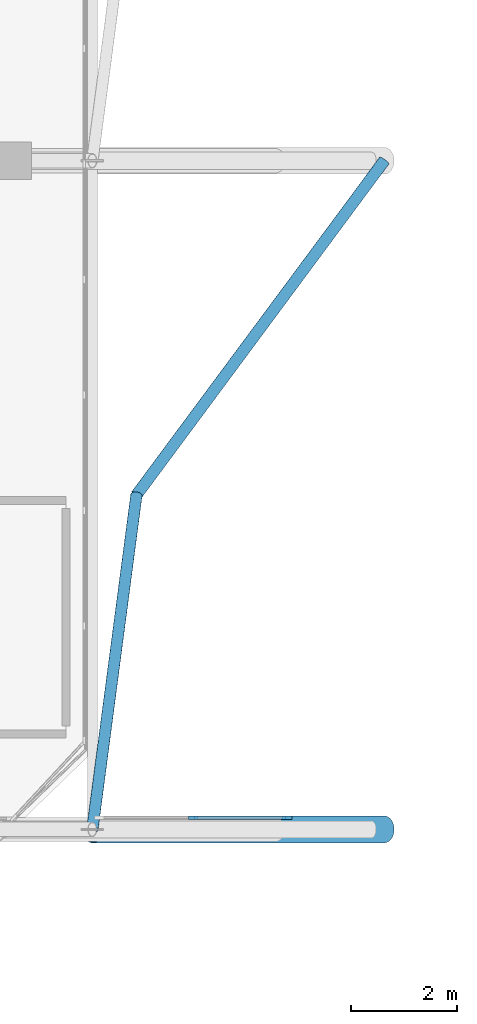
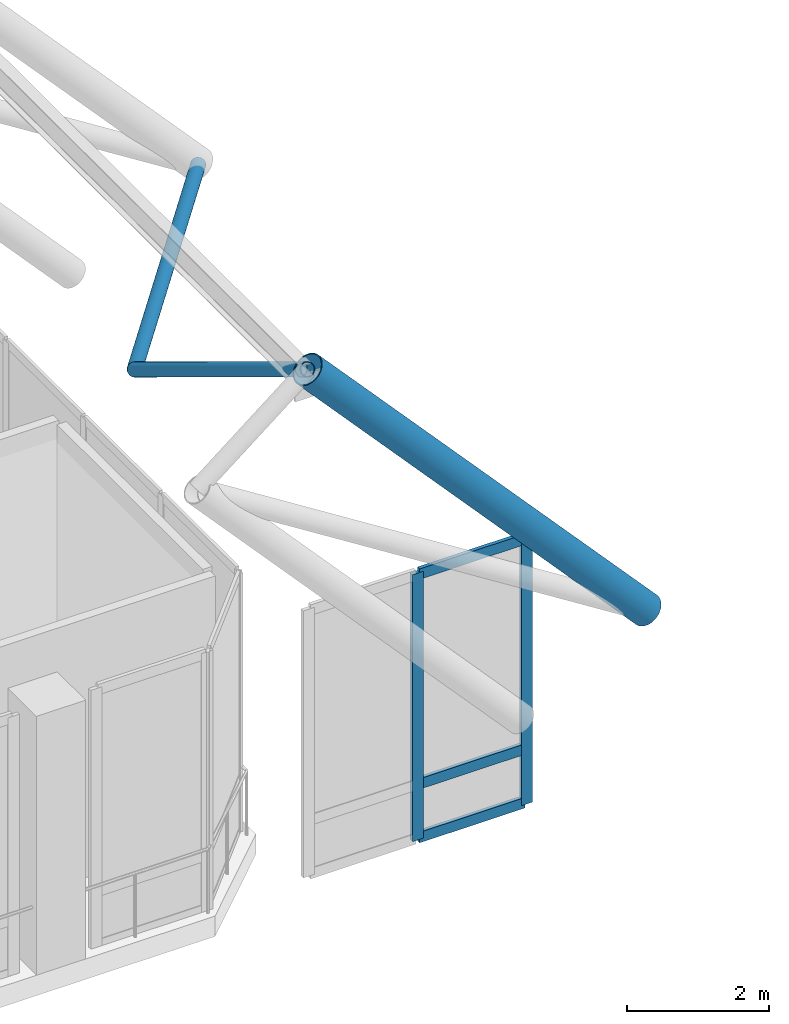
# One storey, part 17 of 79: 8 members, 1 element without a shape of its own.
"""IFC4 building model written with IfcOpenShell, lengths in metres."""

from ifc_helpers import new_model, si_unit, derived_unit, direction, frame, origin, origin_2d, place, context, subcontext, project, spatial, rectangle, hollow_circle, extrude, material, layer, layer_set, material_profile, profile_set, type_object, element, aggregate, save


model = new_model("IFC4")

# Units and contexts
model_context = context("Model", 3, precision=1e-05, world=origin(), true_north=direction((0.0, 1.0)))
body_context = subcontext(model_context, "Body", "Model", "MODEL_VIEW")
ifc_project = project(units=[si_unit("LENGTHUNIT", "METRE"), si_unit("AREAUNIT", "SQUARE_METRE"), si_unit("VOLUMEUNIT", "CUBIC_METRE"), si_unit("PLANEANGLEUNIT", "RADIAN"), si_unit("MASSUNIT", "GRAM", prefix="KILO"), derived_unit("THERMALTRANSMITTANCEUNIT", [(si_unit("MASSUNIT", "GRAM", prefix="KILO"), 1), (si_unit("TIMEUNIT", "SECOND"), -3), (si_unit("THERMODYNAMICTEMPERATUREUNIT", "KELVIN"), -1)])], contexts=[model_context])

# Site, building, storey
site_placement = place(None, origin())
site = spatial("IfcSite", under=ifc_project, at=site_placement, CompositionType="ELEMENT")
building_placement = place(site_placement, origin())
building = spatial("IfcBuilding", under=site, at=building_placement, Name="Valcora Ridge Arena", CompositionType="ELEMENT")
storey_placement = place(building_placement, frame((0.0, 0.0, 16.199951171875)))
storey = spatial("IfcBuildingStorey", under=building, at=storey_placement, Name="L03", CompositionType="ELEMENT", Elevation=16.199951171875)

# Curtain wall, members
ifc_material_1 = material(Name="Anodised dark bronze architectural aluminium 6063-T6", Category="aluminium")
ifc_layer = layer(ifc_material_1, 0.179931640625, Name="Anodised dark bronze architectural aluminium 6063-T6")
ifc_layer_set = layer_set([ifc_layer], Name="Anodised dark bronze architectural aluminium 6063-T6")
curtain_wall_type = type_object("IfcCurtainWallType", Name="TY-CURTAINWALL-CW-V1-TYMPS-036X46", PredefinedType="NOTDEFINED", material=ifc_layer_set)
curtain_wall_placement = place(storey_placement, origin())
curtain_wall = element("IfcCurtainWall", 1, at=curtain_wall_placement, inside=storey, type_object=curtain_wall_type, Name="CW-V1-TYMPS-036X46 CW-0182", PredefinedType="NOTDEFINED")
ifc_material_profile_1 = material_profile(ifc_material_1, rectangle(XDim=0.06005859375, YDim=0.179931640625, at=origin_2d()), Name="ALU MULLION 60x180")
ifc_profile_set_1 = profile_set([ifc_material_profile_1], Name="Anodised dark bronze architectural aluminium 6063-T6")
member_type_1 = type_object("IfcMemberType", Name="TY-MEM-CWM-60x180", PredefinedType="MULLION", material=ifc_profile_set_1)
member_1_placement = place(storey_placement, frame((97.39990234375, 20.219970703125, 0.0), z_axis=(0.0, 0.0, 1.0), x_axis=(0.0, 1.0, 0.0)))
member_1 = element("IfcMember", 2, at=member_1_placement, type_object=member_type_1, Name="CW-0182/CWM-60x180/M01", PredefinedType="MULLION", context=body_context, shape_type="SweptSolid", body=[
    extrude(rectangle(XDim=0.06005859375, YDim=0.179931640625, at=origin_2d()), origin(), (0.0, 0.0, 1.0), 4.579345703125),
])
member_2_placement = place(storey_placement, frame((99.169921875, 20.219970703125, 0.0), z_axis=(0.0, 0.0, 1.0), x_axis=(0.0, 1.0, 0.0)))
member_2 = element("IfcMember", 3, at=member_2_placement, type_object=member_type_1, Name="CW-0182/CWM-60x180/M02", PredefinedType="MULLION", context=body_context, shape_type="SweptSolid", body=[
    extrude(rectangle(XDim=0.06005859375, YDim=0.179931640625, at=origin_2d()), origin(), (0.0, 0.0, 1.0), 4.579345703125),
])
ifc_material_profile_2 = material_profile(ifc_material_1, rectangle(XDim=0.06005859375, YDim=0.179931640625, at=origin_2d()), Name="ALU TRANSOM 60x180")
ifc_profile_set_2 = profile_set([ifc_material_profile_2], Name="Anodised dark bronze architectural aluminium 6063-T6")
member_type_2 = type_object("IfcMemberType", Name="TY-MEM-CWT-60x180", PredefinedType="USERDEFINED", material=ifc_profile_set_2)
member_3_placement = place(storey_placement, frame((97.429931640625, 20.219970703125, 0.030029296875), z_axis=(1.0, 0.0, 0.0), x_axis=(0.0, 1.0, 0.0)))
member_3 = element("IfcMember", 4, at=member_3_placement, type_object=member_type_2, Name="CW-0182/CWT-60x180/T01-00", ObjectType="TRANSOM", PredefinedType="USERDEFINED", context=body_context, shape_type="SweptSolid", body=[
    extrude(rectangle(XDim=0.06005859375, YDim=0.179931640625, at=origin_2d()), origin(), (0.0, 0.0, 1.0), 1.7099609375),
])
member_4_placement = place(storey_placement, frame((97.429931640625, 20.219970703125, 0.949951171875), z_axis=(1.0, 0.0, 0.0), x_axis=(0.0, 1.0, 0.0)))
member_4 = element("IfcMember", 5, at=member_4_placement, type_object=member_type_2, Name="CW-0182/CWT-60x180/T01-01", ObjectType="TRANSOM", PredefinedType="USERDEFINED", context=body_context, shape_type="SweptSolid", body=[
    extrude(rectangle(XDim=0.06005859375, YDim=0.179931640625, at=origin_2d()), origin(), (0.0, 0.0, 1.0), 1.7099609375),
])
member_5_placement = place(storey_placement, frame((97.429931640625, 20.219970703125, 4.549560546875), z_axis=(1.0, 0.0, 0.0), x_axis=(0.0, 1.0, 0.0)))
member_5 = element("IfcMember", 6, at=member_5_placement, type_object=member_type_2, Name="CW-0182/CWT-60x180/T01-02", ObjectType="TRANSOM", PredefinedType="USERDEFINED", context=body_context, shape_type="SweptSolid", body=[
    extrude(rectangle(XDim=0.06005859375, YDim=0.179931640625, at=origin_2d()), origin(), (0.0, 0.0, 1.0), 1.7099609375),
])
aggregate(curtain_wall, [member_1, member_2, member_3, member_4, member_5])

# Members
ifc_material_2 = material(Name="Steel ASTM A500 Grade C", Category="steel")
ifc_material_profile_3 = material_profile(ifc_material_2, hollow_circle(Radius=0.109619140625, WallThickness=0.010009765625, at=origin_2d()), Name="CHS219X10")
ifc_profile_set_3 = profile_set([ifc_material_profile_3], Name="Steel ASTM A500 Grade C")
member_type_3 = type_object("IfcMemberType", Name="TY-MEMBER-SFST-219", PredefinedType="STRUT", material=ifc_profile_set_3)
member_6_placement = place(storey_placement, frame((96.330810546875, 26.300048828125, 4.74072265625), z_axis=(-0.109753225091, -0.832260350709, 0.543412309595), x_axis=(0.991416462076, -0.130741725264, 0.0)))
element("IfcMember", 7, at=member_6_placement, inside=storey, type_object=member_type_3, Name="SFST-219 Space Frame Tie Strut", PredefinedType="STRUT", context=body_context, shape_type="SweptSolid", body=[
    extrude(hollow_circle(Radius=0.109619140625, WallThickness=0.010009765625, at=origin_2d()), origin(), (0.0, 0.0, 1.0), 7.56982421875),
])
member_7_placement = place(storey_placement, frame((96.330810546875, 26.300048828125, 4.74072265625), z_axis=(0.578057899138, 0.779962566654, -0.23980713055), x_axis=(-0.803405497259, 0.595432285801, 0.0)))
element("IfcMember", 8, at=member_7_placement, inside=storey, type_object=member_type_3, Name="SFST-219 Space Frame Tie Strut", PredefinedType="STRUT", context=body_context, shape_type="SweptSolid", body=[
    extrude(hollow_circle(Radius=0.109619140625, WallThickness=0.010009765625, at=origin_2d()), origin(), (0.0, 0.0, 1.0), 8.077392578125),
])
ifc_material_profile_4 = material_profile(ifc_material_2, hollow_circle(Radius=0.25390625, WallThickness=0.01611328125, at=origin_2d()), Name="CHS508X16")
ifc_profile_set_4 = profile_set([ifc_material_profile_4], Name="Steel ASTM A500 Grade C")
member_type_4 = type_object("IfcMemberType", Name="TY-MEMBER-SFTC-508", PredefinedType="CHORD", material=ifc_profile_set_4)
member_8_placement = place(storey_placement, frame((95.5, 20.0, 8.854248046875), z_axis=(0.672640098199, 0.0, -0.739969795529), x_axis=(0.0, 1.0, 0.0)))
element("IfcMember", 9, at=member_8_placement, inside=storey, type_object=member_type_4, Name="SFTC-508 Space Frame Top Chord", PredefinedType="CHORD", context=body_context, shape_type="SweptSolid", body=[
    extrude(hollow_circle(Radius=0.25390625, WallThickness=0.01611328125, at=origin_2d()), origin(), (0.0, 0.0, 1.0), 8.1767578125),
])

save(model, "model.ifc")
